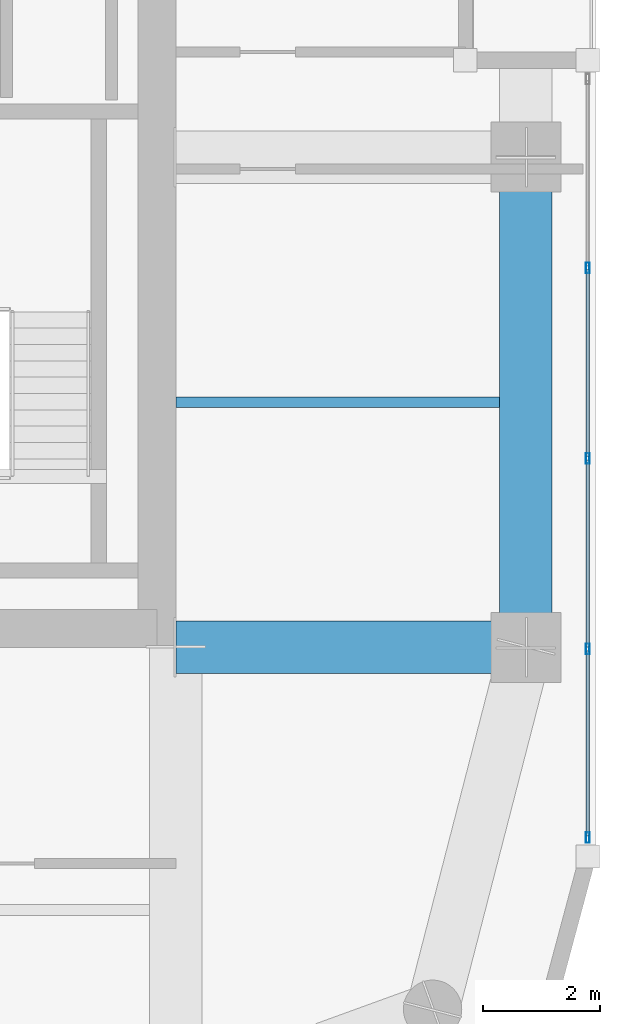
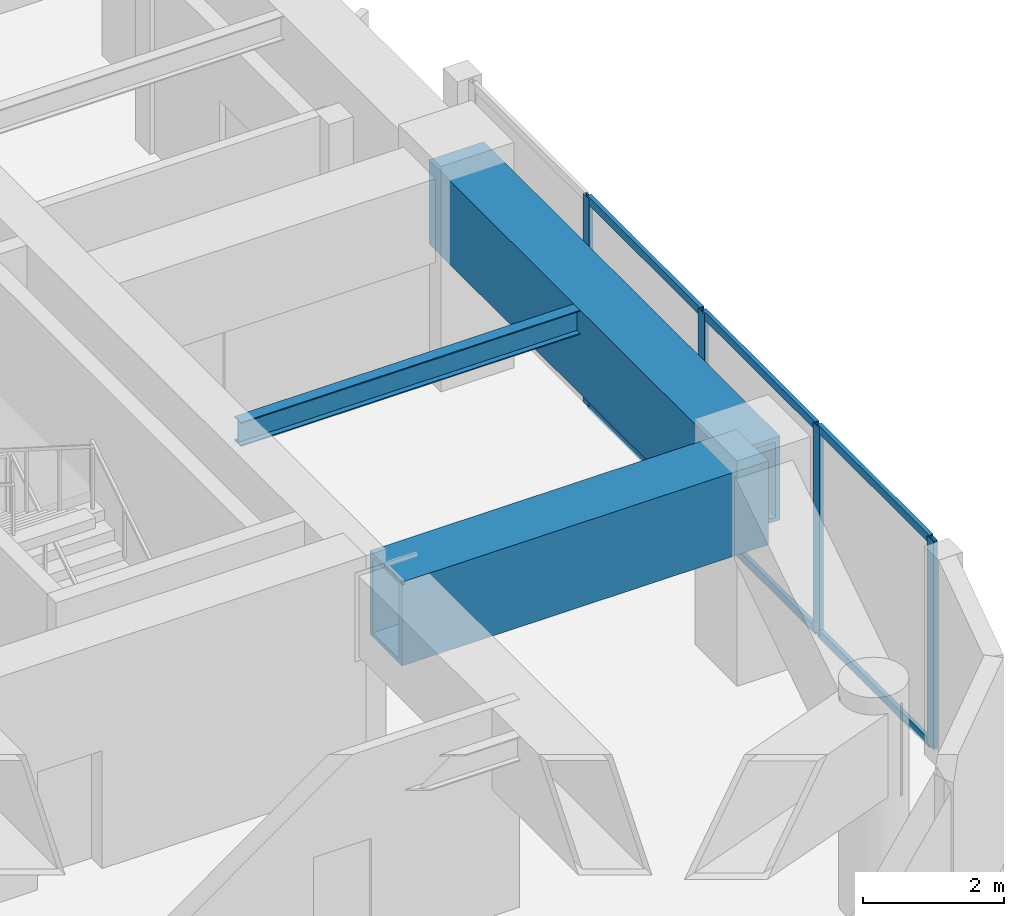
# One storey, part 9 of 30: 10 members, 3 beams, 1 element without a shape of its own.
"""IFC4 building model written with IfcOpenShell, lengths in metres."""

import ifcopenshell
import ifcopenshell.guid

model = None  # the IFC model being written
_history = None  # IfcOwnerHistory: only IFC2X3 demands one
_inside = {}  # id of a spatial element -> (the spatial element, [elements in it])
_under = {}  # id of a project, library or spatial element -> (it, [spatial elements below it])
_declared = {}  # id of a project -> (the project, [libraries it declares])
_typed = {}  # id of a type object -> (the type object, [elements of that type])
_made_of = {}  # id of a material, layer set ... -> (it, [elements and type objects made of it])


def new_model(schema):
    """Start an empty IFC model of exactly this schema.

    Asked for "IFC4X3", IfcOpenShell would pick the latest addendum, in which some entities
    have other attributes; the version numbers below select the first issue.
    IFC2X3 requires an IfcOwnerHistory on every rooted entity: one is made here for all.
    """
    global model, _history
    if schema == "IFC4X3":
        model = ifcopenshell.file(schema_version=(4, 3, 0, 0))
    else:
        model = ifcopenshell.file(schema=schema)
    _inside.clear()
    _under.clear()
    _declared.clear()
    _typed.clear()
    _made_of.clear()
    _history = None
    if model.schema == "IFC2X3":
        org = make("IfcOrganization", Name="unknown")
        user = make(
            "IfcPersonAndOrganization",
            ThePerson=make("IfcPerson", FamilyName="unknown"),
            TheOrganization=org,
        )
        app = make(
            "IfcApplication",
            ApplicationDeveloper=org,
            Version="unknown",
            ApplicationFullName="unknown",
            ApplicationIdentifier="unknown",
        )
        _history = make(
            "IfcOwnerHistory",
            OwningUser=user,
            OwningApplication=app,
            ChangeAction="ADDED",
            CreationDate=0,
        )
    return model


def make(cls, **values):
    """One entity of the class cls with the attributes given. An attribute that is None is left unset."""
    return model.create_entity(
        cls, **{name: value for name, value in values.items() if value is not None}
    )


def rooted(cls, **values):
    """An entity with a GlobalId (a new one), such as an element, a storey or a relation."""
    return make(cls, GlobalId=ifcopenshell.guid.new(), OwnerHistory=_history, **values)


def si_unit(unit_type, name, prefix=None):
    """IfcSIUnit, for example si_unit("LENGTHUNIT", "METRE", prefix="MILLI")."""
    return make("IfcSIUnit", UnitType=unit_type, Prefix=prefix, Name=name)


def assignment(units):
    """IfcUnitAssignment: the units of a project."""
    return None if units is None else make("IfcUnitAssignment", Units=units)


def point(xyz):
    """IfcCartesianPoint."""
    return None if xyz is None else make("IfcCartesianPoint", Coordinates=xyz)


def direction(xyz):
    """IfcDirection."""
    return None if xyz is None else make("IfcDirection", DirectionRatios=xyz)


def frame(location, z_axis=None, x_axis=None):
    """IfcAxis2Placement3D, a coordinate frame: its origin and axes. An axis left out is left unset."""
    return make(
        "IfcAxis2Placement3D",
        Location=point(location),
        Axis=direction(z_axis),
        RefDirection=direction(x_axis),
    )


def frame_2d(location, x_axis=None):
    """IfcAxis2Placement2D, a coordinate frame in the plane: its origin and x axis."""
    return make(
        "IfcAxis2Placement2D", Location=point(location), RefDirection=direction(x_axis)
    )


def origin():
    """The frame at (0, 0, 0) with its axes left unset."""
    return frame((0.0, 0.0, 0.0))


def origin_2d():
    """The frame at (0, 0) in the plane with its x axis left unset."""
    return frame_2d((0.0, 0.0))


def place(relative_to, where):
    """IfcLocalPlacement: puts the frame where relative to a parent placement (None: the world)."""
    return make(
        "IfcLocalPlacement", PlacementRelTo=relative_to, RelativePlacement=where
    )


def context(
    kind, dimensions, precision=None, world=None, true_north=None, identifier=None
):
    """IfcGeometricRepresentationContext, for example the 3D "Model" context."""
    return make(
        "IfcGeometricRepresentationContext",
        ContextIdentifier=identifier,
        ContextType=kind,
        CoordinateSpaceDimension=dimensions,
        Precision=precision,
        WorldCoordinateSystem=world,
        TrueNorth=true_north,
    )


def subcontext(parent, identifier, kind, view, scale=None):
    """IfcGeometricRepresentationSubContext, for example "Body" below "Model"."""
    return make(
        "IfcGeometricRepresentationSubContext",
        ContextIdentifier=identifier,
        ContextType=kind,
        ParentContext=parent,
        TargetScale=scale,
        TargetView=view,
    )


def project(units=None, contexts=None):
    """IfcProject with its units and contexts."""
    return rooted(
        "IfcProject",
        Name="project",
        RepresentationContexts=contexts,
        UnitsInContext=assignment(units),
    )


def spatial(cls, under=None, at=None, **own):
    """A site, building, storey or space (cls), placed at a placement, below another one or the project."""
    s = rooted(cls, ObjectPlacement=at, **own)
    if under is not None:
        _under.setdefault(under.id(), (under, []))[1].append(s)
    return s


def profile(cls, at=None, kind="AREA", **sizes):
    """A parametric profile (cls). Its sizes go by their IFC names, for example OverallWidth=200.0."""
    return make(cls, ProfileType=kind, Position=at, **sizes)


def hollow_rectangle(**sizes):
    """IfcRectangleHollowProfileDef."""
    return profile("IfcRectangleHollowProfileDef", **sizes)


def i_section(**sizes):
    """IfcIShapeProfileDef."""
    return profile("IfcIShapeProfileDef", **sizes)


def extrude(swept, where, along, depth):
    """IfcExtrudedAreaSolid: the profile swept, set in the frame where, extruded along a direction by depth."""
    return make(
        "IfcExtrudedAreaSolid",
        SweptArea=swept,
        Position=where,
        ExtrudedDirection=direction(along),
        Depth=depth,
    )


def shape(context_of_items, identifier, shape_type, items):
    """IfcShapeRepresentation: the items that make up one representation, for example the "Body"."""
    return make(
        "IfcShapeRepresentation",
        ContextOfItems=context_of_items,
        RepresentationIdentifier=identifier,
        RepresentationType=shape_type,
        Items=items,
    )


def material(Name=None, Category=None):
    """IfcMaterial."""
    return make("IfcMaterial", Name=Name, Category=Category)


def layer(
    of_material, thickness, ventilated=None, Name=None, Category=None, Priority=None
):
    """IfcMaterialLayer: one layer of a wall or slab, of a material (None: an air gap)."""
    return make(
        "IfcMaterialLayer",
        Material=of_material,
        LayerThickness=thickness,
        IsVentilated=ventilated,
        Name=Name,
        Category=Category,
        Priority=Priority,
    )


def layer_set(layers, Name=None):
    """IfcMaterialLayerSet."""
    return make("IfcMaterialLayerSet", MaterialLayers=layers, LayerSetName=Name)


def material_profile(
    of_material, cross_section, Name=None, Category=None, Priority=None
):
    """IfcMaterialProfile: a cross section and its material."""
    return make(
        "IfcMaterialProfile",
        Name=Name,
        Material=of_material,
        Profile=cross_section,
        Priority=Priority,
        Category=Category,
    )


def profile_set(profiles, Name=None, composite=None):
    """IfcMaterialProfileSet."""
    return make(
        "IfcMaterialProfileSet",
        Name=Name,
        MaterialProfiles=profiles,
        CompositeProfile=composite,
    )


def made_of(thing, what):
    """Note that an element or type object is made of a material, layer set ...; save() writes the relation."""
    if what is not None:
        _made_of.setdefault(what.id(), (what, []))[1].append(thing)
    return thing


def type_object(cls, material=None, **own):
    """A type object (cls), such as IfcWallType, which elements share."""
    return made_of(rooted(cls, **own), material)


def element(
    cls,
    number,
    at=None,
    inside=None,
    cuts=None,
    type_object=None,
    material=None,
    context=None,
    identifier="Body",
    shape_type=None,
    held_by="IfcProductDefinitionShape",
    body=None,
    shapes=None,
    **own,
):
    """One element of the class cls, such as IfcWall. Its Tag is "e" and its number.

    at: its placement. inside: the storey or other place that contains it. cuts: it is an
    opening in that element (IfcRelVoidsElement). A single representation is given by context,
    identifier, shape_type and body (its items); several are given by shapes. held_by: the class
    of the entity that holds the representations. save() writes the other relations.
    """
    e = rooted(cls, Tag="e%d" % number, ObjectPlacement=at, **own)
    if body is not None:
        shapes = [shape(context, identifier, shape_type, body)]
    if shapes is not None:
        e.Representation = make(held_by, Representations=shapes)
    if inside is not None:
        _inside.setdefault(inside.id(), (inside, []))[1].append(e)
    if cuts is not None:
        rooted(
            "IfcRelVoidsElement", RelatingBuildingElement=cuts, RelatedOpeningElement=e
        )
    if type_object is not None:
        _typed.setdefault(type_object.id(), (type_object, []))[1].append(e)
    return made_of(e, material)


def aggregate(whole, parts):
    """IfcRelAggregates: a whole, such as a stair, and the parts it consists of."""
    return rooted("IfcRelAggregates", RelatingObject=whole, RelatedObjects=parts)


def save(model, path):
    """Write the relations noted so far, then the file.

    IfcRelAggregates (storeys below a building ...), IfcRelContainedInSpatialStructure (elements
    in a storey), IfcRelDefinesByType, IfcRelAssociatesMaterial and IfcRelDeclares: one each for
    every whole, place, type object, material and project.
    """
    for whole, parts in _under.values():
        aggregate(whole, parts)
    for where, things in _inside.values():
        rooted(
            "IfcRelContainedInSpatialStructure",
            RelatedElements=things,
            RelatingStructure=where,
        )
    for kind, things in _typed.values():
        rooted("IfcRelDefinesByType", RelatedObjects=things, RelatingType=kind)
    for what, things in _made_of.values():
        rooted("IfcRelAssociatesMaterial", RelatedObjects=things, RelatingMaterial=what)
    for by, libraries in _declared.values():
        rooted("IfcRelDeclares", RelatingContext=by, RelatedDefinitions=libraries)
    model.write(path)


model = new_model("IFC4")

# Units and contexts
model_context = context("Model", 3, precision=1e-05, world=origin(), true_north=direction((0.0, 1.0)))
body_context = subcontext(model_context, "Body", "Model", "MODEL_VIEW")
ifc_project = project(units=[si_unit("LENGTHUNIT", "METRE"), si_unit("AREAUNIT", "SQUARE_METRE"), si_unit("VOLUMEUNIT", "CUBIC_METRE"), si_unit("PLANEANGLEUNIT", "RADIAN"), si_unit("MASSUNIT", "GRAM", prefix="KILO")], contexts=[model_context])

# Site, building, storey
site_placement = place(None, origin())
site = spatial("IfcSite", under=ifc_project, at=site_placement, CompositionType="ELEMENT")
building_placement = place(site_placement, origin())
building = spatial("IfcBuilding", under=site, at=building_placement, Name="Kiyonajd Concourse Tower", CompositionType="ELEMENT")
storey_placement = place(building_placement, frame((0.0, 0.0, 205.800048828125)))
storey = spatial("IfcBuildingStorey", under=building, at=storey_placement, Name="L52", CompositionType="ELEMENT", Elevation=205.800048828125)

# Beams
ifc_material_1 = material(Name="Steel ASTM A992 Grade 50", Category="steel")
ifc_material_profile_1 = material_profile(ifc_material_1, i_section(OverallWidth=0.180908203125, OverallDepth=0.4169921875, WebThickness=0.010986328125, FlangeThickness=0.018310546875, at=origin_2d()), Name="W410X85")
ifc_profile_set_1 = profile_set([ifc_material_profile_1], Name="Steel ASTM A992 Grade 50")
beam_type_1 = type_object("IfcBeamType", Name="BM-JST-410", PredefinedType="JOIST", material=ifc_profile_set_1)
beam_1_placement = place(storey_placement, frame((63.60009765625, 31.800048828125, 3.391357421875), z_axis=(1.0, 0.0, 0.0), x_axis=(0.0, 1.0, 0.0)))
element("IfcBeam", 1, at=beam_1_placement, inside=storey, type_object=beam_type_1, Name="L52 East Secondary Floor Joist", PredefinedType="JOIST", context=body_context, shape_type="SweptSolid", body=[
    extrude(i_section(OverallWidth=0.180908203125, OverallDepth=0.4169921875, WebThickness=0.010986328125, FlangeThickness=0.018310546875, at=origin_2d()), origin(), (0.0, 0.0, 1.0), 5.5498046875),
])
ifc_material_2 = material(Name="Steel ASTM A572 Grade 50", Category="steel")
ifc_material_profile_2 = material_profile(ifc_material_2, hollow_rectangle(XDim=0.89990234375, YDim=1.449951171875, WallThickness=0.074951171875, at=origin_2d()), Name="BOX-1450x900x75")
ifc_profile_set_2 = profile_set([ifc_material_profile_2], Name="Steel ASTM A572 Grade 50")
beam_type_2 = type_object("IfcBeamType", Name="BM-XFER-1800", PredefinedType="BEAM", material=ifc_profile_set_2)
beam_2_placement = place(storey_placement, frame((69.60009765625, 27.60009765625, 2.875), z_axis=(0.0, 1.0, 0.0), x_axis=(-1.0, 0.0, 0.0)))
element("IfcBeam", 2, at=beam_2_placement, inside=storey, type_object=beam_type_2, Name="L52 Perimeter Bundled Tube Spandrel", PredefinedType="BEAM", context=body_context, shape_type="SweptSolid", body=[
    extrude(hollow_rectangle(XDim=0.89990234375, YDim=1.449951171875, WallThickness=0.074951171875, at=origin_2d()), origin(), (0.0, 0.0, 1.0), 8.39990234375),
])
beam_3_placement = place(storey_placement, frame((63.60009765625, 27.60009765625, 2.875), z_axis=(1.0, 0.0, 0.0), x_axis=(0.0, 1.0, 0.0)))
element("IfcBeam", 3, at=beam_3_placement, inside=storey, type_object=beam_type_2, Name="L52 East Lease Girder", PredefinedType="BEAM", context=body_context, shape_type="SweptSolid", body=[
    extrude(hollow_rectangle(XDim=0.89990234375, YDim=1.449951171875, WallThickness=0.074951171875, at=origin_2d()), origin(), (0.0, 0.0, 1.0), 6.0),
])

# Curtain wall, members
ifc_material_3 = material(Name="Thermally Broken Anodised Aluminium", Category="aluminium")
ifc_layer = layer(ifc_material_3, 0.179931640625)
ifc_layer_set = layer_set([ifc_layer], Name="Thermally Broken Anodised Aluminium")
curtain_wall_type = type_object("IfcCurtainWallType", Name="CW-SYS-03", PredefinedType="NOTDEFINED", material=ifc_layer_set)
curtain_wall_placement = place(storey_placement, origin())
curtain_wall = element("IfcCurtainWall", 4, at=curtain_wall_placement, inside=storey, type_object=curtain_wall_type, Name="L52 Unitised Curtain Wall CW3", PredefinedType="NOTDEFINED")
ifc_material_profile_3 = material_profile(ifc_material_3, hollow_rectangle(XDim=0.06494140625, YDim=0.179931640625, WallThickness=0.00390625, at=origin_2d()), Name="MULL-65x180")
ifc_profile_set_3 = profile_set([ifc_material_profile_3], Name="Thermally Broken Anodised Aluminium")
member_type_1 = type_object("IfcMemberType", Name="MB-CW-MULL1", PredefinedType="MULLION", material=ifc_profile_set_3)
member_1_placement = place(storey_placement, frame((70.659912109375, 34.1044921875, 0.0), z_axis=(0.0, 0.0, 1.0), x_axis=(1.0, 0.0, 0.0)))
member_1 = element("IfcMember", 5, at=member_1_placement, type_object=member_type_1, Name="CW3 mullion 2", PredefinedType="MULLION", context=body_context, shape_type="SweptSolid", body=[
    extrude(hollow_rectangle(XDim=0.06494140625, YDim=0.179931640625, WallThickness=0.00390625, at=origin_2d()), origin(), (0.0, 0.0, 1.0), 3.599853515625),
])
member_2_placement = place(storey_placement, frame((70.659912109375, 30.839111328125, 0.0), z_axis=(0.0, 0.0, 1.0), x_axis=(1.0, 0.0, 0.0)))
member_2 = element("IfcMember", 6, at=member_2_placement, type_object=member_type_1, Name="CW3 mullion 3", PredefinedType="MULLION", context=body_context, shape_type="SweptSolid", body=[
    extrude(hollow_rectangle(XDim=0.06494140625, YDim=0.179931640625, WallThickness=0.00390625, at=origin_2d()), origin(), (0.0, 0.0, 1.0), 3.599853515625),
])
member_3_placement = place(storey_placement, frame((70.659912109375, 27.57373046875, 0.0), z_axis=(0.0, 0.0, 1.0), x_axis=(1.0, 0.0, 0.0)))
member_3 = element("IfcMember", 7, at=member_3_placement, type_object=member_type_1, Name="CW3 mullion 4", PredefinedType="MULLION", context=body_context, shape_type="SweptSolid", body=[
    extrude(hollow_rectangle(XDim=0.06494140625, YDim=0.179931640625, WallThickness=0.00390625, at=origin_2d()), origin(), (0.0, 0.0, 1.0), 3.599853515625),
])
member_4_placement = place(storey_placement, frame((70.659912109375, 24.3408203125, 0.0), z_axis=(0.0, 0.0, 1.0), x_axis=(1.0, 0.0, 0.0)))
member_4 = element("IfcMember", 8, at=member_4_placement, type_object=member_type_1, Name="CW3 mullion 5", PredefinedType="MULLION", context=body_context, shape_type="SweptSolid", body=[
    extrude(hollow_rectangle(XDim=0.06494140625, YDim=0.179931640625, WallThickness=0.00390625, at=origin_2d()), origin(), (0.0, 0.0, 1.0), 3.599853515625),
])
ifc_material_profile_4 = material_profile(ifc_material_3, hollow_rectangle(XDim=0.06494140625, YDim=0.139892578125, WallThickness=0.00390625, at=origin_2d()), Name="TRAN-65x140")
ifc_profile_set_4 = profile_set([ifc_material_profile_4], Name="Thermally Broken Anodised Aluminium")
member_type_2 = type_object("IfcMemberType", Name="MB-CW-TRAN1", PredefinedType="USERDEFINED", material=ifc_profile_set_4)
member_5_placement = place(storey_placement, frame((70.659912109375, 34.072021484375, 0.032470703125), z_axis=(0.0, -1.0, 0.0), x_axis=(1.0, 0.0, 0.0)))
member_5 = element("IfcMember", 9, at=member_5_placement, type_object=member_type_2, Name="CW3 transom 2.1", ObjectType="TRANSOM", PredefinedType="USERDEFINED", context=body_context, shape_type="SweptSolid", body=[
    extrude(hollow_rectangle(XDim=0.06494140625, YDim=0.139892578125, WallThickness=0.00390625, at=origin_2d()), origin(), (0.0, 0.0, 1.0), 3.200439453125),
])
member_6_placement = place(storey_placement, frame((70.659912109375, 34.072021484375, 3.5673828125), z_axis=(0.0, -1.0, 0.0), x_axis=(1.0, 0.0, 0.0)))
member_6 = element("IfcMember", 10, at=member_6_placement, type_object=member_type_2, Name="CW3 transom 2.2", ObjectType="TRANSOM", PredefinedType="USERDEFINED", context=body_context, shape_type="SweptSolid", body=[
    extrude(hollow_rectangle(XDim=0.06494140625, YDim=0.139892578125, WallThickness=0.00390625, at=origin_2d()), origin(), (0.0, 0.0, 1.0), 3.200439453125),
])
member_7_placement = place(storey_placement, frame((70.659912109375, 30.806640625, 0.032470703125), z_axis=(0.0, -1.0, 0.0), x_axis=(1.0, 0.0, 0.0)))
member_7 = element("IfcMember", 11, at=member_7_placement, type_object=member_type_2, Name="CW3 transom 3.1", ObjectType="TRANSOM", PredefinedType="USERDEFINED", context=body_context, shape_type="SweptSolid", body=[
    extrude(hollow_rectangle(XDim=0.06494140625, YDim=0.139892578125, WallThickness=0.00390625, at=origin_2d()), origin(), (0.0, 0.0, 1.0), 3.200439453125),
])
member_8_placement = place(storey_placement, frame((70.659912109375, 30.806640625, 3.5673828125), z_axis=(0.0, -1.0, 0.0), x_axis=(1.0, 0.0, 0.0)))
member_8 = element("IfcMember", 12, at=member_8_placement, type_object=member_type_2, Name="CW3 transom 3.2", ObjectType="TRANSOM", PredefinedType="USERDEFINED", context=body_context, shape_type="SweptSolid", body=[
    extrude(hollow_rectangle(XDim=0.06494140625, YDim=0.139892578125, WallThickness=0.00390625, at=origin_2d()), origin(), (0.0, 0.0, 1.0), 3.200439453125),
])
member_9_placement = place(storey_placement, frame((70.659912109375, 27.541259765625, 0.032470703125), z_axis=(0.0, -1.0, 0.0), x_axis=(1.0, 0.0, 0.0)))
member_9 = element("IfcMember", 13, at=member_9_placement, type_object=member_type_2, Name="CW3 transom 4.1", ObjectType="TRANSOM", PredefinedType="USERDEFINED", context=body_context, shape_type="SweptSolid", body=[
    extrude(hollow_rectangle(XDim=0.06494140625, YDim=0.139892578125, WallThickness=0.00390625, at=origin_2d()), origin(), (0.0, 0.0, 1.0), 3.16796875),
])
member_10_placement = place(storey_placement, frame((70.659912109375, 27.541259765625, 3.5673828125), z_axis=(0.0, -1.0, 0.0), x_axis=(1.0, 0.0, 0.0)))
member_10 = element("IfcMember", 14, at=member_10_placement, type_object=member_type_2, Name="CW3 transom 4.2", ObjectType="TRANSOM", PredefinedType="USERDEFINED", context=body_context, shape_type="SweptSolid", body=[
    extrude(hollow_rectangle(XDim=0.06494140625, YDim=0.139892578125, WallThickness=0.00390625, at=origin_2d()), origin(), (0.0, 0.0, 1.0), 3.16796875),
])
aggregate(curtain_wall, [member_1, member_2, member_3, member_4, member_5, member_6, member_7, member_8, member_9, member_10])

save(model, "model.ifc")
